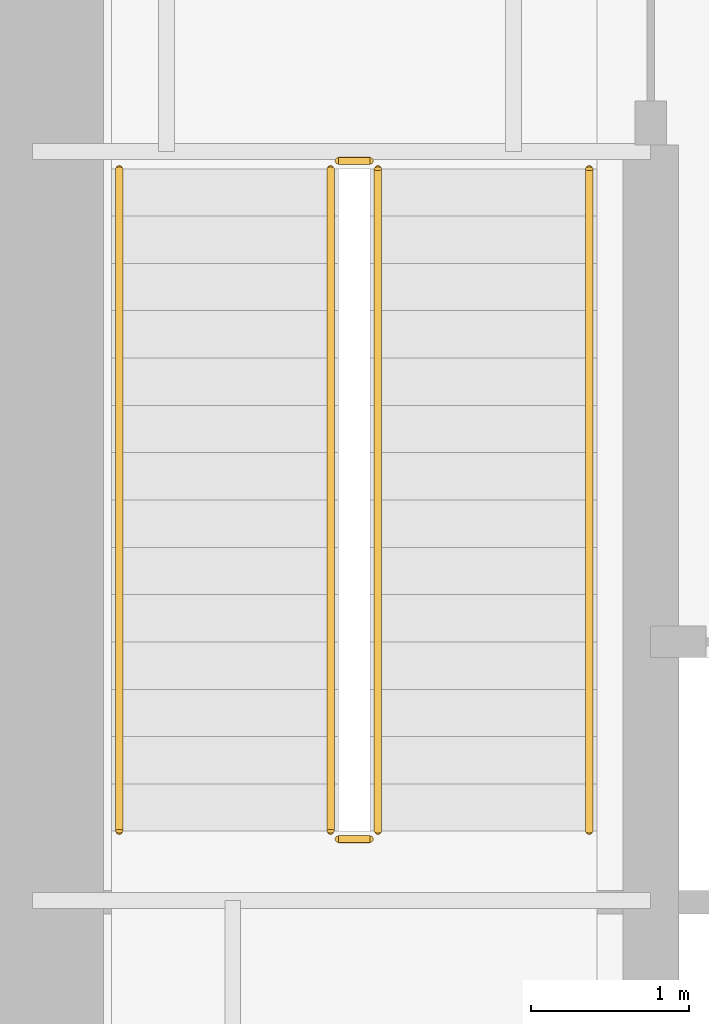
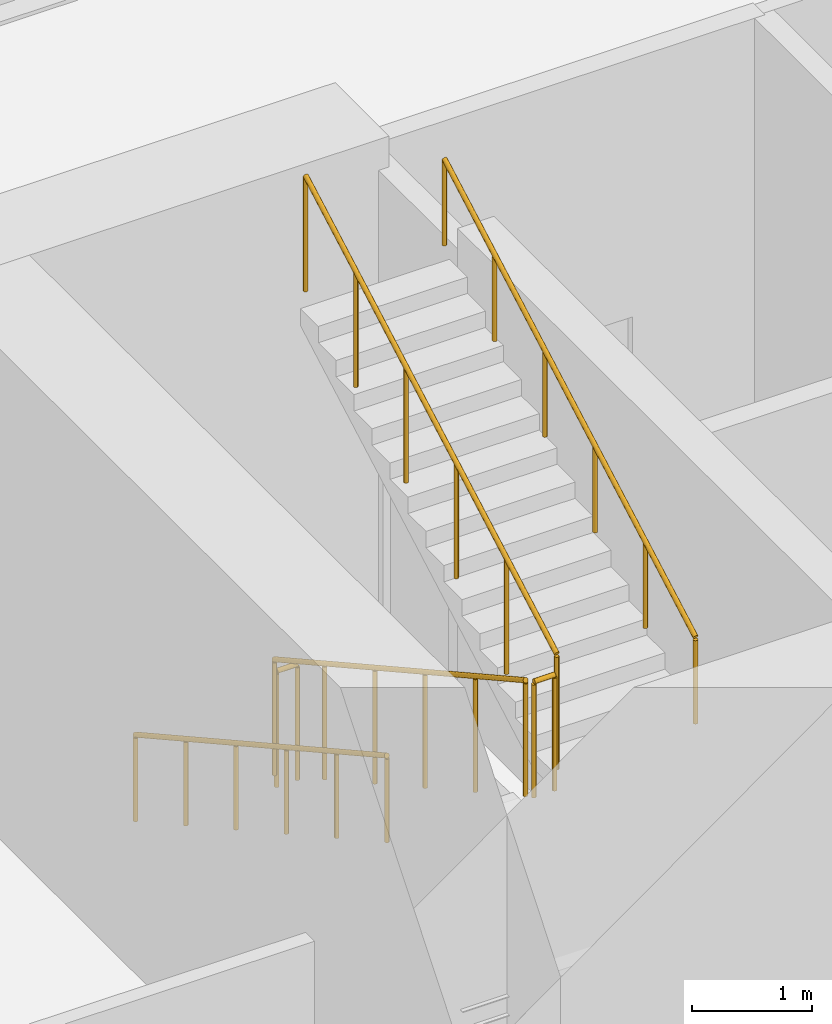
# One storey, part 30 of 35: 6 railings.
"""IFC4 building model written with IfcOpenShell, lengths in metres."""

from ifc_helpers import new_model, si_unit, direction, frame, origin, origin_2d, place, context, subcontext, project, spatial, circle, extrude, material, type_object, element, save


model = new_model("IFC4")

# Units and contexts
model_context = context("Model", 3, precision=1e-05, world=origin(), true_north=direction((0.0, 1.0)))
body_context = subcontext(model_context, "Body", "Model", "MODEL_VIEW")
ifc_project = project(units=[si_unit("LENGTHUNIT", "METRE"), si_unit("AREAUNIT", "SQUARE_METRE"), si_unit("VOLUMEUNIT", "CUBIC_METRE"), si_unit("PLANEANGLEUNIT", "RADIAN"), si_unit("MASSUNIT", "GRAM", prefix="KILO")], contexts=[model_context])

# Site, building, storey
site_placement = place(None, origin())
site = spatial("IfcSite", under=ifc_project, at=site_placement, CompositionType="ELEMENT")
building_placement = place(site_placement, origin())
building = spatial("IfcBuilding", under=site, at=building_placement, Name="Qiaolan Cultural Towers", CompositionType="ELEMENT")
storey_placement = place(building_placement, frame((0.0, 0.0, 11.5)))
storey = spatial("IfcBuildingStorey", under=building, at=storey_placement, Name="L02", CompositionType="ELEMENT", Elevation=11.5)

# Railings
ifc_material_1 = material(Name="Galvanized Painted Steel Stair Guardrail", Category="steel")
railing_type_1 = type_object("IfcRailingType", Name="RL-STAIR-GRD", PredefinedType="GUARDRAIL", material=ifc_material_1)
railing_1_placement = place(storey_placement, frame((23.68994140625, 19.550048828125, 0.166748046875)))
element("IfcRailing", 1, at=railing_1_placement, inside=storey, type_object=railing_type_1, Name="L02 ST-W1 stair guard 1", PredefinedType="GUARDRAIL", context=body_context, shape_type="SweptSolid", body=[
    extrude(circle(Radius=0.02392578125, at=origin_2d()), frame((0.0, 0.0, 1.17578125), z_axis=(0.0, -0.874162069901, 0.485634302275), x_axis=(1.0, 0.0, 0.0)), (0.0, 0.0, 1.0), 4.804443359375),
    extrude(circle(Radius=0.02099609375, at=origin_2d()), origin(), (0.0, 0.0, 1.0), 1.15185546875),
    extrude(circle(Radius=0.02099609375, at=origin_2d()), frame((0.0, -0.840087890625, 0.466552734375)), (0.0, 0.0, 1.0), 1.15185546875),
    extrude(circle(Radius=0.02099609375, at=origin_2d()), frame((0.0, -1.679931640625, 0.933349609375)), (0.0, 0.0, 1.0), 1.15185546875),
    extrude(circle(Radius=0.02099609375, at=origin_2d()), frame((0.0, -2.52001953125, 1.39990234375)), (0.0, 0.0, 1.0), 1.15185546875),
    extrude(circle(Radius=0.02099609375, at=origin_2d()), frame((0.0, -3.35986328125, 1.86669921875)), (0.0, 0.0, 1.0), 1.15185546875),
    extrude(circle(Radius=0.02099609375, at=origin_2d()), frame((0.0, -4.199951171875, 2.333251953125)), (0.0, 0.0, 1.0), 1.15185546875),
])
railing_2_placement = place(storey_placement, frame((23.739990234375, 15.300048828125, 2.5)))
element("IfcRailing", 2, at=railing_2_placement, inside=storey, type_object=railing_type_1, Name="L02 ST-W1 stair guard 2", PredefinedType="GUARDRAIL", context=body_context, shape_type="SweptSolid", body=[
    extrude(circle(Radius=0.02392578125, at=origin_2d()), frame((0.0, 0.0, 1.17578125), z_axis=(1.0, 0.0, 0.0), x_axis=(0.0, 1.0, 0.0)), (0.0, 0.0, 1.0), 0.199951171875),
    extrude(circle(Radius=0.02099609375, at=origin_2d()), origin(), (0.0, 0.0, 1.0), 1.15185546875),
    extrude(circle(Radius=0.02099609375, at=origin_2d()), frame((0.199951171875, 0.0, 0.0)), (0.0, 0.0, 1.0), 1.15185546875),
])
railing_3_placement = place(storey_placement, frame((23.989990234375, 15.35009765625, 2.666748046875)))
element("IfcRailing", 3, at=railing_3_placement, inside=storey, type_object=railing_type_1, Name="L02 ST-W1 stair guard 3", PredefinedType="GUARDRAIL", context=body_context, shape_type="SweptSolid", body=[
    extrude(circle(Radius=0.02392578125, at=origin_2d()), frame((0.0, 0.0, 1.17578125), z_axis=(0.0, 0.874162069901, 0.485634302275), x_axis=(-1.0, 0.0, 0.0)), (0.0, 0.0, 1.0), 4.804443359375),
    extrude(circle(Radius=0.02099609375, at=origin_2d()), origin(), (0.0, 0.0, 1.0), 1.15185546875),
    extrude(circle(Radius=0.02099609375, at=origin_2d()), frame((0.0, 0.840087890625, 0.466552734375)), (0.0, 0.0, 1.0), 1.15185546875),
    extrude(circle(Radius=0.02099609375, at=origin_2d()), frame((0.0, 1.679931640625, 0.933349609375)), (0.0, 0.0, 1.0), 1.15185546875),
    extrude(circle(Radius=0.02099609375, at=origin_2d()), frame((0.0, 2.52001953125, 1.39990234375)), (0.0, 0.0, 1.0), 1.15185546875),
    extrude(circle(Radius=0.02099609375, at=origin_2d()), frame((0.0, 3.35986328125, 1.86669921875)), (0.0, 0.0, 1.0), 1.15185546875),
    extrude(circle(Radius=0.02099609375, at=origin_2d()), frame((0.0, 4.199951171875, 2.333251953125)), (0.0, 0.0, 1.0), 1.15185546875),
])
railing_4_placement = place(storey_placement, frame((23.739990234375, 19.60009765625, 0.0)))
element("IfcRailing", 4, at=railing_4_placement, inside=storey, type_object=railing_type_1, Name="L02 ST-W1 stair guard 4", PredefinedType="GUARDRAIL", context=body_context, shape_type="SweptSolid", body=[
    extrude(circle(Radius=0.02392578125, at=origin_2d()), frame((0.0, 0.0, 1.17578125), z_axis=(1.0, 0.0, 0.0), x_axis=(0.0, 1.0, 0.0)), (0.0, 0.0, 1.0), 0.199951171875),
    extrude(circle(Radius=0.02099609375, at=origin_2d()), origin(), (0.0, 0.0, 1.0), 1.15185546875),
    extrude(circle(Radius=0.02099609375, at=origin_2d()), frame((0.199951171875, 0.0, 0.0)), (0.0, 0.0, 1.0), 1.15185546875),
])
ifc_material_2 = material(Name="Stainless Steel S30408 Tubular Handrail", Category="steel")
railing_type_2 = type_object("IfcRailingType", Name="RL-STAIR-HR", PredefinedType="HANDRAIL", material=ifc_material_2)
railing_5_placement = place(storey_placement, frame((22.35009765625, 19.550048828125, 0.166748046875)))
element("IfcRailing", 5, at=railing_5_placement, inside=storey, type_object=railing_type_2, Name="L02 ST-W1 stair handrail 1", PredefinedType="HANDRAIL", context=body_context, shape_type="SweptSolid", body=[
    extrude(circle(Radius=0.02392578125, at=origin_2d()), frame((0.0, 0.0, 0.8759765625), z_axis=(0.0, -0.874162069901, 0.485634302275), x_axis=(1.0, 0.0, 0.0)), (0.0, 0.0, 1.0), 4.804443359375),
    extrude(circle(Radius=0.02099609375, at=origin_2d()), origin(), (0.0, 0.0, 1.0), 0.851806640625),
    extrude(circle(Radius=0.02099609375, at=origin_2d()), frame((0.0, -0.840087890625, 0.466552734375)), (0.0, 0.0, 1.0), 0.851806640625),
    extrude(circle(Radius=0.02099609375, at=origin_2d()), frame((0.0, -1.679931640625, 0.933349609375)), (0.0, 0.0, 1.0), 0.851806640625),
    extrude(circle(Radius=0.02099609375, at=origin_2d()), frame((0.0, -2.52001953125, 1.39990234375)), (0.0, 0.0, 1.0), 0.851806640625),
    extrude(circle(Radius=0.02099609375, at=origin_2d()), frame((0.0, -3.35986328125, 1.86669921875)), (0.0, 0.0, 1.0), 0.851806640625),
    extrude(circle(Radius=0.02099609375, at=origin_2d()), frame((0.0, -4.199951171875, 2.333251953125)), (0.0, 0.0, 1.0), 0.851806640625),
])
railing_6_placement = place(storey_placement, frame((25.330078125, 15.35009765625, 2.666748046875)))
element("IfcRailing", 6, at=railing_6_placement, inside=storey, type_object=railing_type_2, Name="L02 ST-W1 stair handrail 2", PredefinedType="HANDRAIL", context=body_context, shape_type="SweptSolid", body=[
    extrude(circle(Radius=0.02392578125, at=origin_2d()), frame((0.0, 0.0, 0.8759765625), z_axis=(0.0, 0.874162069901, 0.485634302275), x_axis=(-1.0, 0.0, 0.0)), (0.0, 0.0, 1.0), 4.804443359375),
    extrude(circle(Radius=0.02099609375, at=origin_2d()), origin(), (0.0, 0.0, 1.0), 0.851806640625),
    extrude(circle(Radius=0.02099609375, at=origin_2d()), frame((0.0, 0.840087890625, 0.466552734375)), (0.0, 0.0, 1.0), 0.851806640625),
    extrude(circle(Radius=0.02099609375, at=origin_2d()), frame((0.0, 1.679931640625, 0.933349609375)), (0.0, 0.0, 1.0), 0.851806640625),
    extrude(circle(Radius=0.02099609375, at=origin_2d()), frame((0.0, 2.52001953125, 1.39990234375)), (0.0, 0.0, 1.0), 0.851806640625),
    extrude(circle(Radius=0.02099609375, at=origin_2d()), frame((0.0, 3.35986328125, 1.86669921875)), (0.0, 0.0, 1.0), 0.851806640625),
    extrude(circle(Radius=0.02099609375, at=origin_2d()), frame((0.0, 4.199951171875, 2.333251953125)), (0.0, 0.0, 1.0), 0.851806640625),
])

save(model, "model.ifc")
